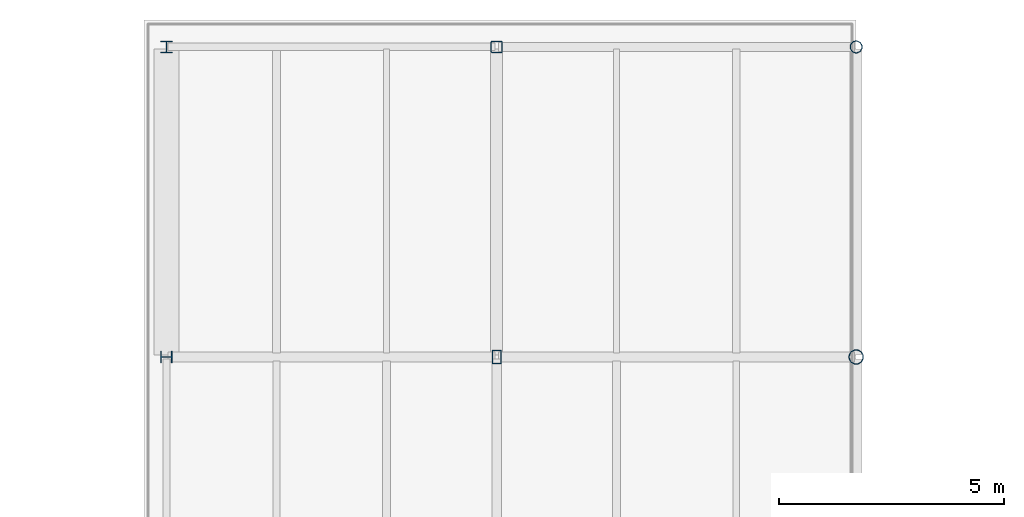
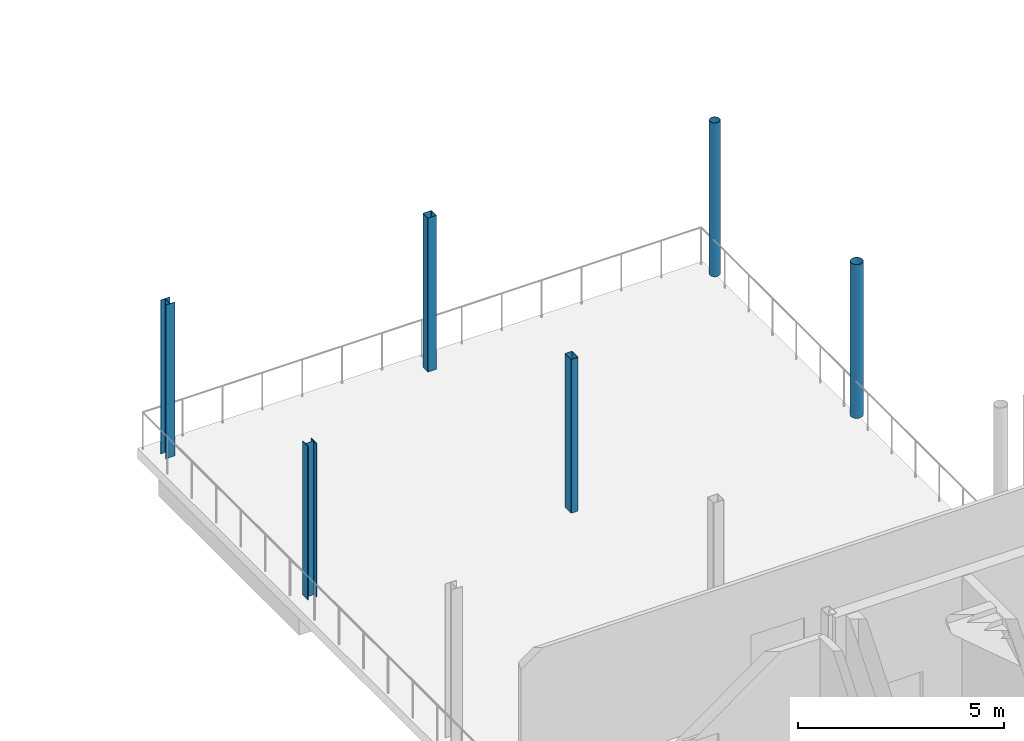
# One storey, part 17 of 70: 6 columns.
"""IFC4 building model written with IfcOpenShell, lengths in metres."""

from ifc_helpers import new_model, si_unit, direction, frame, origin, origin_2d, place, context, subcontext, project, spatial, hollow_rectangle, hollow_circle, i_section, extrude, material, material_profile, profile_set, type_object, element, save


model = new_model("IFC4")

# Units and contexts
model_context = context("Model", 3, precision=1e-05, world=origin(), true_north=direction((0.0, 1.0)))
body_context = subcontext(model_context, "Body", "Model", "MODEL_VIEW")
ifc_project = project(units=[si_unit("LENGTHUNIT", "METRE"), si_unit("AREAUNIT", "SQUARE_METRE"), si_unit("VOLUMEUNIT", "CUBIC_METRE"), si_unit("PLANEANGLEUNIT", "RADIAN"), si_unit("MASSUNIT", "GRAM", prefix="KILO")], contexts=[model_context])

# Site, building, storey
site_placement = place(None, origin())
site = spatial("IfcSite", under=ifc_project, at=site_placement, CompositionType="ELEMENT")
building_placement = place(site_placement, origin())
building = spatial("IfcBuilding", under=site, at=building_placement, Name="Brisemont Oceanarium", CompositionType="ELEMENT")
storey_placement = place(building_placement, frame((0.0, 0.0, 10.199951171875)))
storey = spatial("IfcBuildingStorey", under=building, at=storey_placement, Name="L02", CompositionType="ELEMENT", Elevation=10.199951171875)

# Columns
ifc_material_1 = material(Name="Structural Steel ASTM A500 Gr.C", Category="steel")
ifc_material_profile_1 = material_profile(ifc_material_1, hollow_circle(Radius=0.136474609375, WallThickness=0.01171875, at=origin_2d()), Name="HSS10.750X0.500")
ifc_profile_set_1 = profile_set([ifc_material_profile_1], Name="Structural Steel ASTM A500 Gr.C")
column_type_1 = type_object("IfcColumnType", Name="COL-CHS10", PredefinedType="COLUMN", material=ifc_profile_set_1)
column_1_placement = place(storey_placement, frame((128.0, 107.39990234375, 0.0), z_axis=(0.0, 0.0, 1.0), x_axis=(1.0, 0.0, 0.0)))
element("IfcColumn", 1, at=column_1_placement, inside=storey, type_object=column_type_1, Name="V6 L02 column (2,4)", PredefinedType="COLUMN", context=body_context, shape_type="SweptSolid", body=[
    extrude(hollow_circle(Radius=0.136474609375, WallThickness=0.01171875, at=origin_2d()), origin(), (0.0, 0.0, 1.0), 4.56005859375),
])
ifc_material_2 = material(Name="Structural Steel ASTM A500 Gr.C", Category="steel")
ifc_material_profile_2 = material_profile(ifc_material_2, hollow_circle(Radius=0.162109375, WallThickness=0.01171875, at=origin_2d()), Name="HSS12.750X0.500")
ifc_profile_set_2 = profile_set([ifc_material_profile_2], Name="Structural Steel ASTM A500 Gr.C")
column_type_2 = type_object("IfcColumnType", Name="COL-CHS12", PredefinedType="COLUMN", material=ifc_profile_set_2)
column_2_placement = place(storey_placement, frame((128.0, 100.5, 0.0), z_axis=(0.0, 0.0, 1.0), x_axis=(0.0, 1.0, 0.0)))
element("IfcColumn", 2, at=column_2_placement, inside=storey, type_object=column_type_2, Name="V6 L02 column (2,3)", PredefinedType="COLUMN", context=body_context, shape_type="SweptSolid", body=[
    extrude(hollow_circle(Radius=0.162109375, WallThickness=0.01171875, at=origin_2d()), origin(), (0.0, 0.0, 1.0), 4.56005859375),
])
ifc_material_3 = material(Name="Structural Steel ASTM A500 Gr.C", Category="steel")
ifc_material_profile_3 = material_profile(ifc_material_3, hollow_rectangle(XDim=0.25390625, YDim=0.25390625, WallThickness=0.01171875, InnerFilletRadius=0.01220703125, OuterFilletRadius=0.02392578125, at=origin_2d()), Name="HSS10X10X1/2")
ifc_profile_set_3 = profile_set([ifc_material_profile_3], Name="Structural Steel ASTM A500 Gr.C")
column_type_3 = type_object("IfcColumnType", Name="COL-HSS10X10", PredefinedType="COLUMN", material=ifc_profile_set_3)
column_3_placement = place(storey_placement, frame((120.0, 107.39990234375, 0.0), z_axis=(0.0, 0.0, 1.0), x_axis=(0.0, 1.0, 0.0)))
element("IfcColumn", 3, at=column_3_placement, inside=storey, type_object=column_type_3, Name="V6 L02 column (1,4)", PredefinedType="COLUMN", context=body_context, shape_type="SweptSolid", body=[
    extrude(hollow_rectangle(XDim=0.25390625, YDim=0.25390625, WallThickness=0.01171875, InnerFilletRadius=0.01220703125, OuterFilletRadius=0.02392578125, at=origin_2d()), origin(), (0.0, 0.0, 1.0), 4.56005859375),
])
ifc_material_4 = material(Name="Structural Steel ASTM A500 Gr.C", Category="steel")
ifc_material_profile_4 = material_profile(ifc_material_4, hollow_rectangle(XDim=0.202880859375, YDim=0.304931640625, WallThickness=0.0087890625, InnerFilletRadius=0.009033203125, OuterFilletRadius=0.01806640625, at=origin_2d()), Name="HSS12X8X3/8")
ifc_profile_set_4 = profile_set([ifc_material_profile_4], Name="Structural Steel ASTM A500 Gr.C")
column_type_4 = type_object("IfcColumnType", Name="COL-HSS12X8", PredefinedType="COLUMN", material=ifc_profile_set_4)
column_4_placement = place(storey_placement, frame((120.0, 100.5, 0.0), z_axis=(0.0, 0.0, 1.0), x_axis=(1.0, 0.0, 0.0)))
element("IfcColumn", 4, at=column_4_placement, inside=storey, type_object=column_type_4, Name="V6 L02 column (1,3)", PredefinedType="COLUMN", context=body_context, shape_type="SweptSolid", body=[
    extrude(hollow_rectangle(XDim=0.202880859375, YDim=0.304931640625, WallThickness=0.0087890625, InnerFilletRadius=0.009033203125, OuterFilletRadius=0.01806640625, at=origin_2d()), origin(), (0.0, 0.0, 1.0), 4.56005859375),
])
ifc_material_5 = material(Name="Structural Steel ASTM A992 Gr.50", Category="steel")
ifc_material_profile_5 = material_profile(ifc_material_5, i_section(OverallWidth=0.25390625, OverallDepth=0.25390625, WebThickness=0.008544921875, FlangeThickness=0.01416015625, FilletRadius=0.010986328125, at=origin_2d()), Name="W10X49")
ifc_profile_set_5 = profile_set([ifc_material_profile_5], Name="Structural Steel ASTM A992 Gr.50")
column_type_5 = type_object("IfcColumnType", Name="COL-W10X49", PredefinedType="COLUMN", material=ifc_profile_set_5)
column_5_placement = place(storey_placement, frame((112.64990234375, 107.39990234375, 0.0), z_axis=(0.0, 0.0, 1.0), x_axis=(1.0, 0.0, 0.0)))
element("IfcColumn", 5, at=column_5_placement, inside=storey, type_object=column_type_5, Name="V6 L02 column (0,4)", PredefinedType="COLUMN", context=body_context, shape_type="SweptSolid", body=[
    extrude(i_section(OverallWidth=0.25390625, OverallDepth=0.25390625, WebThickness=0.008544921875, FlangeThickness=0.01416015625, FilletRadius=0.010986328125, at=origin_2d()), origin(), (0.0, 0.0, 1.0), 4.56005859375),
])
ifc_material_6 = material(Name="Structural Steel ASTM A992 Gr.50", Category="steel")
ifc_material_profile_6 = material_profile(ifc_material_6, i_section(OverallWidth=0.256103515625, OverallDepth=0.260009765625, WebThickness=0.0107421875, FlangeThickness=0.017333984375, FilletRadius=0.010986328125, at=origin_2d()), Name="W10X60")
ifc_profile_set_6 = profile_set([ifc_material_profile_6], Name="Structural Steel ASTM A992 Gr.50")
column_type_6 = type_object("IfcColumnType", Name="COL-W10X60", PredefinedType="COLUMN", material=ifc_profile_set_6)
column_6_placement = place(storey_placement, frame((112.64990234375, 100.5, 0.0), z_axis=(0.0, 0.0, 1.0), x_axis=(0.0, 1.0, 0.0)))
element("IfcColumn", 6, at=column_6_placement, inside=storey, type_object=column_type_6, Name="V6 L02 column (0,3)", PredefinedType="COLUMN", context=body_context, shape_type="SweptSolid", body=[
    extrude(i_section(OverallWidth=0.256103515625, OverallDepth=0.260009765625, WebThickness=0.0107421875, FlangeThickness=0.017333984375, FilletRadius=0.010986328125, at=origin_2d()), origin(), (0.0, 0.0, 1.0), 4.56005859375),
])

save(model, "model.ifc")
